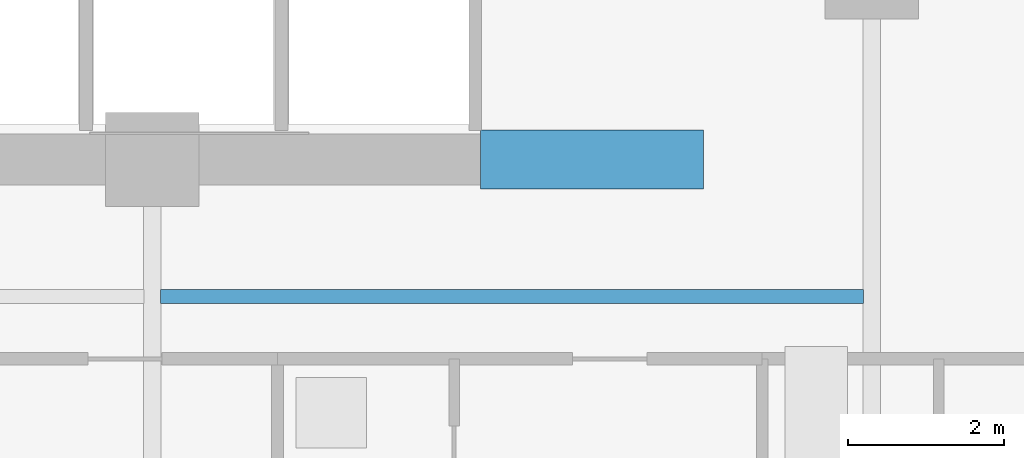
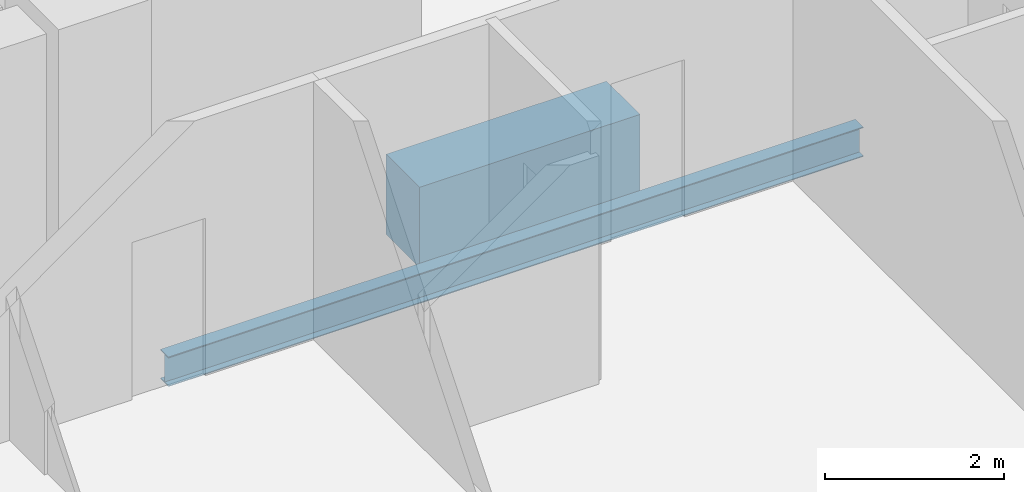
# One storey, part 11 of 32: 2 beams.
"""IFC4 building model written with IfcOpenShell, lengths in metres."""

import ifcopenshell
import ifcopenshell.guid

model = None  # the IFC model being written
_history = None  # IfcOwnerHistory: only IFC2X3 demands one
_inside = {}  # id of a spatial element -> (the spatial element, [elements in it])
_under = {}  # id of a project, library or spatial element -> (it, [spatial elements below it])
_declared = {}  # id of a project -> (the project, [libraries it declares])
_typed = {}  # id of a type object -> (the type object, [elements of that type])
_made_of = {}  # id of a material, layer set ... -> (it, [elements and type objects made of it])


def new_model(schema):
    """Start an empty IFC model of exactly this schema.

    Asked for "IFC4X3", IfcOpenShell would pick the latest addendum, in which some entities
    have other attributes; the version numbers below select the first issue.
    IFC2X3 requires an IfcOwnerHistory on every rooted entity: one is made here for all.
    """
    global model, _history
    if schema == "IFC4X3":
        model = ifcopenshell.file(schema_version=(4, 3, 0, 0))
    else:
        model = ifcopenshell.file(schema=schema)
    _inside.clear()
    _under.clear()
    _declared.clear()
    _typed.clear()
    _made_of.clear()
    _history = None
    if model.schema == "IFC2X3":
        org = make("IfcOrganization", Name="unknown")
        user = make(
            "IfcPersonAndOrganization",
            ThePerson=make("IfcPerson", FamilyName="unknown"),
            TheOrganization=org,
        )
        app = make(
            "IfcApplication",
            ApplicationDeveloper=org,
            Version="unknown",
            ApplicationFullName="unknown",
            ApplicationIdentifier="unknown",
        )
        _history = make(
            "IfcOwnerHistory",
            OwningUser=user,
            OwningApplication=app,
            ChangeAction="ADDED",
            CreationDate=0,
        )
    return model


def make(cls, **values):
    """One entity of the class cls with the attributes given. An attribute that is None is left unset."""
    return model.create_entity(
        cls, **{name: value for name, value in values.items() if value is not None}
    )


def rooted(cls, **values):
    """An entity with a GlobalId (a new one), such as an element, a storey or a relation."""
    return make(cls, GlobalId=ifcopenshell.guid.new(), OwnerHistory=_history, **values)


def si_unit(unit_type, name, prefix=None):
    """IfcSIUnit, for example si_unit("LENGTHUNIT", "METRE", prefix="MILLI")."""
    return make("IfcSIUnit", UnitType=unit_type, Prefix=prefix, Name=name)


def assignment(units):
    """IfcUnitAssignment: the units of a project."""
    return None if units is None else make("IfcUnitAssignment", Units=units)


def point(xyz):
    """IfcCartesianPoint."""
    return None if xyz is None else make("IfcCartesianPoint", Coordinates=xyz)


def direction(xyz):
    """IfcDirection."""
    return None if xyz is None else make("IfcDirection", DirectionRatios=xyz)


def frame(location, z_axis=None, x_axis=None):
    """IfcAxis2Placement3D, a coordinate frame: its origin and axes. An axis left out is left unset."""
    return make(
        "IfcAxis2Placement3D",
        Location=point(location),
        Axis=direction(z_axis),
        RefDirection=direction(x_axis),
    )


def frame_2d(location, x_axis=None):
    """IfcAxis2Placement2D, a coordinate frame in the plane: its origin and x axis."""
    return make(
        "IfcAxis2Placement2D", Location=point(location), RefDirection=direction(x_axis)
    )


def origin():
    """The frame at (0, 0, 0) with its axes left unset."""
    return frame((0.0, 0.0, 0.0))


def origin_2d():
    """The frame at (0, 0) in the plane with its x axis left unset."""
    return frame_2d((0.0, 0.0))


def place(relative_to, where):
    """IfcLocalPlacement: puts the frame where relative to a parent placement (None: the world)."""
    return make(
        "IfcLocalPlacement", PlacementRelTo=relative_to, RelativePlacement=where
    )


def context(
    kind, dimensions, precision=None, world=None, true_north=None, identifier=None
):
    """IfcGeometricRepresentationContext, for example the 3D "Model" context."""
    return make(
        "IfcGeometricRepresentationContext",
        ContextIdentifier=identifier,
        ContextType=kind,
        CoordinateSpaceDimension=dimensions,
        Precision=precision,
        WorldCoordinateSystem=world,
        TrueNorth=true_north,
    )


def subcontext(parent, identifier, kind, view, scale=None):
    """IfcGeometricRepresentationSubContext, for example "Body" below "Model"."""
    return make(
        "IfcGeometricRepresentationSubContext",
        ContextIdentifier=identifier,
        ContextType=kind,
        ParentContext=parent,
        TargetScale=scale,
        TargetView=view,
    )


def project(units=None, contexts=None):
    """IfcProject with its units and contexts."""
    return rooted(
        "IfcProject",
        Name="project",
        RepresentationContexts=contexts,
        UnitsInContext=assignment(units),
    )


def spatial(cls, under=None, at=None, **own):
    """A site, building, storey or space (cls), placed at a placement, below another one or the project."""
    s = rooted(cls, ObjectPlacement=at, **own)
    if under is not None:
        _under.setdefault(under.id(), (under, []))[1].append(s)
    return s


def profile(cls, at=None, kind="AREA", **sizes):
    """A parametric profile (cls). Its sizes go by their IFC names, for example OverallWidth=200.0."""
    return make(cls, ProfileType=kind, Position=at, **sizes)


def rectangle(**sizes):
    """IfcRectangleProfileDef."""
    return profile("IfcRectangleProfileDef", **sizes)


def i_section(**sizes):
    """IfcIShapeProfileDef."""
    return profile("IfcIShapeProfileDef", **sizes)


def extrude(swept, where, along, depth):
    """IfcExtrudedAreaSolid: the profile swept, set in the frame where, extruded along a direction by depth."""
    return make(
        "IfcExtrudedAreaSolid",
        SweptArea=swept,
        Position=where,
        ExtrudedDirection=direction(along),
        Depth=depth,
    )


def shape(context_of_items, identifier, shape_type, items):
    """IfcShapeRepresentation: the items that make up one representation, for example the "Body"."""
    return make(
        "IfcShapeRepresentation",
        ContextOfItems=context_of_items,
        RepresentationIdentifier=identifier,
        RepresentationType=shape_type,
        Items=items,
    )


def material(Name=None, Category=None):
    """IfcMaterial."""
    return make("IfcMaterial", Name=Name, Category=Category)


def material_profile(
    of_material, cross_section, Name=None, Category=None, Priority=None
):
    """IfcMaterialProfile: a cross section and its material."""
    return make(
        "IfcMaterialProfile",
        Name=Name,
        Material=of_material,
        Profile=cross_section,
        Priority=Priority,
        Category=Category,
    )


def profile_set(profiles, Name=None, composite=None):
    """IfcMaterialProfileSet."""
    return make(
        "IfcMaterialProfileSet",
        Name=Name,
        MaterialProfiles=profiles,
        CompositeProfile=composite,
    )


def made_of(thing, what):
    """Note that an element or type object is made of a material, layer set ...; save() writes the relation."""
    if what is not None:
        _made_of.setdefault(what.id(), (what, []))[1].append(thing)
    return thing


def type_object(cls, material=None, **own):
    """A type object (cls), such as IfcWallType, which elements share."""
    return made_of(rooted(cls, **own), material)


def element(
    cls,
    number,
    at=None,
    inside=None,
    cuts=None,
    type_object=None,
    material=None,
    context=None,
    identifier="Body",
    shape_type=None,
    held_by="IfcProductDefinitionShape",
    body=None,
    shapes=None,
    **own,
):
    """One element of the class cls, such as IfcWall. Its Tag is "e" and its number.

    at: its placement. inside: the storey or other place that contains it. cuts: it is an
    opening in that element (IfcRelVoidsElement). A single representation is given by context,
    identifier, shape_type and body (its items); several are given by shapes. held_by: the class
    of the entity that holds the representations. save() writes the other relations.
    """
    e = rooted(cls, Tag="e%d" % number, ObjectPlacement=at, **own)
    if body is not None:
        shapes = [shape(context, identifier, shape_type, body)]
    if shapes is not None:
        e.Representation = make(held_by, Representations=shapes)
    if inside is not None:
        _inside.setdefault(inside.id(), (inside, []))[1].append(e)
    if cuts is not None:
        rooted(
            "IfcRelVoidsElement", RelatingBuildingElement=cuts, RelatedOpeningElement=e
        )
    if type_object is not None:
        _typed.setdefault(type_object.id(), (type_object, []))[1].append(e)
    return made_of(e, material)


def aggregate(whole, parts):
    """IfcRelAggregates: a whole, such as a stair, and the parts it consists of."""
    return rooted("IfcRelAggregates", RelatingObject=whole, RelatedObjects=parts)


def save(model, path):
    """Write the relations noted so far, then the file.

    IfcRelAggregates (storeys below a building ...), IfcRelContainedInSpatialStructure (elements
    in a storey), IfcRelDefinesByType, IfcRelAssociatesMaterial and IfcRelDeclares: one each for
    every whole, place, type object, material and project.
    """
    for whole, parts in _under.values():
        aggregate(whole, parts)
    for where, things in _inside.values():
        rooted(
            "IfcRelContainedInSpatialStructure",
            RelatedElements=things,
            RelatingStructure=where,
        )
    for kind, things in _typed.values():
        rooted("IfcRelDefinesByType", RelatedObjects=things, RelatingType=kind)
    for what, things in _made_of.values():
        rooted("IfcRelAssociatesMaterial", RelatedObjects=things, RelatingMaterial=what)
    for by, libraries in _declared.values():
        rooted("IfcRelDeclares", RelatingContext=by, RelatedDefinitions=libraries)
    model.write(path)


model = new_model("IFC4")

# Units and contexts
model_context = context("Model", 3, precision=1e-05, world=origin(), true_north=direction((0.0, 1.0)))
body_context = subcontext(model_context, "Body", "Model", "MODEL_VIEW")
ifc_project = project(units=[si_unit("LENGTHUNIT", "METRE"), si_unit("AREAUNIT", "SQUARE_METRE"), si_unit("VOLUMEUNIT", "CUBIC_METRE"), si_unit("PLANEANGLEUNIT", "RADIAN"), si_unit("MASSUNIT", "GRAM", prefix="KILO")], contexts=[model_context])

# Site, building, storey
site_placement = place(None, origin())
site = spatial("IfcSite", under=ifc_project, at=site_placement, CompositionType="ELEMENT")
building_placement = place(site_placement, origin())
building = spatial("IfcBuilding", under=site, at=building_placement, Name="Zuhayl Quay Hotel", CompositionType="ELEMENT")
storey_placement = place(building_placement, frame((0.0, 0.0, 196.14990234375)))
storey = spatial("IfcBuildingStorey", under=building, at=storey_placement, Name="L49", CompositionType="ELEMENT", Elevation=196.14990234375)

# Beams
ifc_material_1 = material(Name="Concrete C60/75", Category="concrete")
ifc_material_profile_1 = material_profile(ifc_material_1, rectangle(XDim=0.75, YDim=1.10009765625, at=origin_2d()), Name="RC750X1100")
ifc_profile_set_1 = profile_set([ifc_material_profile_1], Name="Concrete C60/75")
beam_type_1 = type_object("IfcBeamType", Name="BM_CB2_RC750", PredefinedType="T_BEAM", material=ifc_profile_set_1)
beam_1_placement = place(storey_placement, frame((8.800048828125, 2.14990234375, -0.77001953125), z_axis=(1.0, 0.0, 0.0), x_axis=(0.0, 1.0, 0.0)))
element("IfcBeam", 1, at=beam_1_placement, inside=storey, type_object=beam_type_1, Name="L49 Core Coupling Beam SE", PredefinedType="T_BEAM", context=body_context, shape_type="SweptSolid", body=[
    extrude(rectangle(XDim=0.75, YDim=1.10009765625, at=origin_2d()), origin(), (0.0, 0.0, 1.0), 2.849853515625),
])
ifc_material_2 = material(Name="Steel ASTM A992 Grade 50", Category="steel")
ifc_material_profile_2 = material_profile(ifc_material_2, i_section(OverallWidth=0.177978515625, OverallDepth=0.406005859375, WebThickness=0.0078125, FlangeThickness=0.0126953125, at=origin_2d()), Name="W16X40")
ifc_profile_set_2 = profile_set([ifc_material_profile_2], Name="Steel ASTM A992 Grade 50")
beam_type_2 = type_object("IfcBeamType", Name="BM_J2B_W16X40", PredefinedType="JOIST", material=ifc_profile_set_2)
beam_2_placement = place(storey_placement, frame((4.7060546875, 0.39990234375, -0.4228515625), z_axis=(1.0, 0.0, 0.0), x_axis=(0.0, 1.0, 0.0)))
element("IfcBeam", 2, at=beam_2_placement, inside=storey, type_object=beam_type_2, Name="L49 Floor Beam FJ_L49_8_3", PredefinedType="JOIST", context=body_context, shape_type="SweptSolid", body=[
    extrude(i_section(OverallWidth=0.177978515625, OverallDepth=0.406005859375, WebThickness=0.0078125, FlangeThickness=0.0126953125, at=origin_2d()), origin(), (0.0, 0.0, 1.0), 8.988037109375),
])

save(model, "model.ifc")
